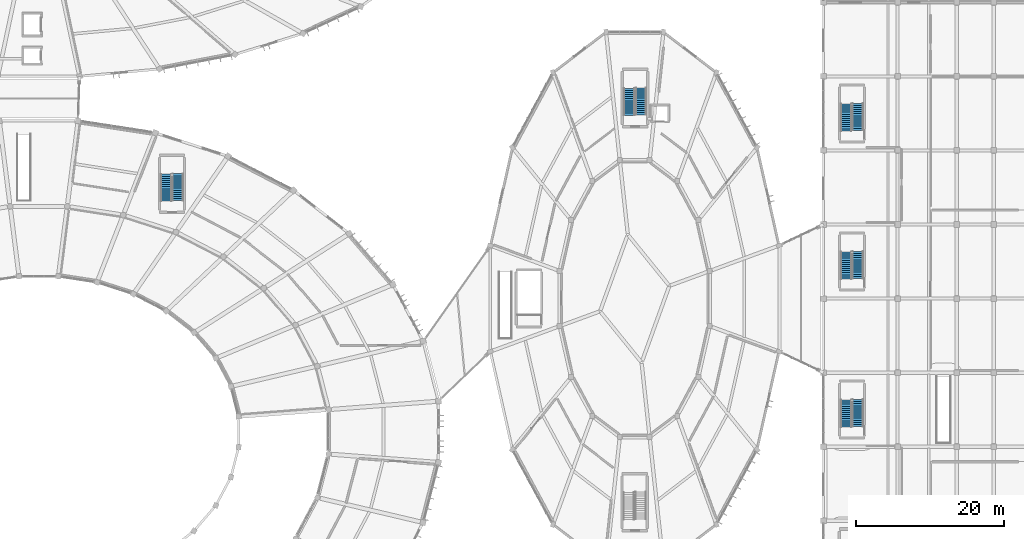
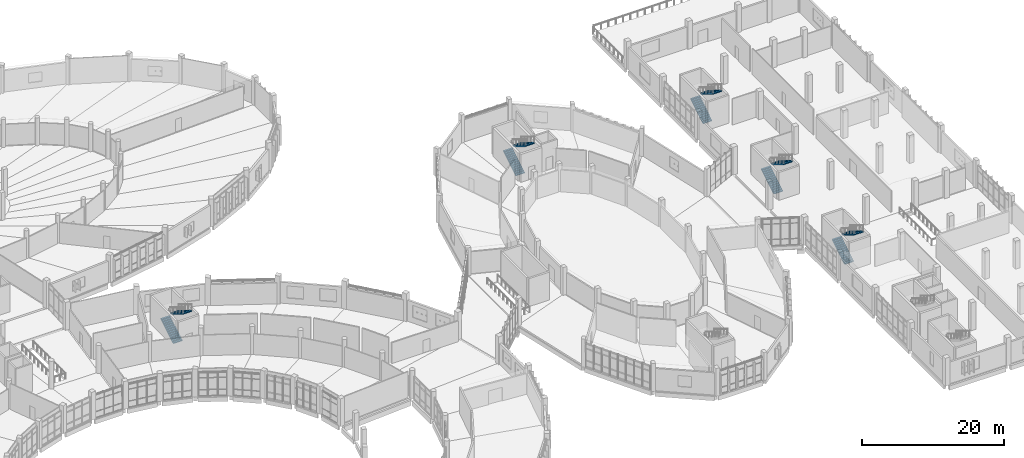
# One storey, part 133 of 179: 10 stair flights, 5 elements without a shape of their own.
"""IFC4 building model written with IfcOpenShell, lengths in metres."""

from ifc_helpers import new_model, si_unit, direction, frame, origin, place, context, subcontext, project, spatial, polyline, outline, extrude, material, layer, layer_set, type_object, element, aggregate, save


model = new_model("IFC4")

# Units and contexts
model_context = context("Model", 3, precision=1e-05, world=origin(), true_north=direction((0.0, 1.0)))
body_context = subcontext(model_context, "Body", "Model", "MODEL_VIEW")
ifc_project = project(units=[si_unit("LENGTHUNIT", "METRE"), si_unit("AREAUNIT", "SQUARE_METRE"), si_unit("VOLUMEUNIT", "CUBIC_METRE"), si_unit("PLANEANGLEUNIT", "RADIAN"), si_unit("MASSUNIT", "GRAM", prefix="KILO")], contexts=[model_context])

# Site, building, storey
site_placement = place(None, origin())
site = spatial("IfcSite", under=ifc_project, at=site_placement, CompositionType="ELEMENT")
building_placement = place(site_placement, origin())
building = spatial("IfcBuilding", under=site, at=building_placement, Name="Corvandel Quay Wholesale Market", CompositionType="ELEMENT")
storey_placement = place(building_placement, frame((0.0, 0.0, 6.0)))
storey = spatial("IfcBuildingStorey", under=building, at=storey_placement, Name="L01", CompositionType="ELEMENT", Elevation=6.0)

# Stair, stair flights
ifc_material = material(Name="Concrete C40/50", Category="concrete")
stair_type = type_object("IfcStairType", Name="Exit Stair Two-Return L01-L02 ST02", PredefinedType="USERDEFINED", material=ifc_material)
stair_1_placement = place(storey_placement, origin())
stair_1 = element("IfcStair", 1, at=stair_1_placement, inside=storey, type_object=stair_type, Name="Exit Stair STR-004", ObjectType="TWO_RETURN_STAIR", PredefinedType="USERDEFINED")
ifc_layer = layer(ifc_material, 0.199951171875)
ifc_layer_set = layer_set([ifc_layer], Name="Concrete C40/50")
stair_flight_type = type_object("IfcStairFlightType", Name="Precast Stair Flight FL02 W1480", PredefinedType="STRAIGHT", material=ifc_layer_set)
stair_flight_1_placement = place(storey_placement, frame((131.199951171875, 73.14990234375, 0.0), z_axis=(0.0, 0.0, 1.0), x_axis=(0.0, 1.0, 0.0)))
stair_flight_1 = element("IfcStairFlight", 2, at=stair_flight_1_placement, type_object=stair_flight_type, Name="Stair Flight STR-004-F1", NumberOfRisers=14, NumberOfTreads=13, PredefinedType="STRAIGHT", RiserHeight=0.171429, TreadLength=0.28, context=body_context, shape_type="SweptSolid", body=[
    extrude(outline(polyline([(0.0, 0.0), (0.0, 0.17138671875), (0.280029296875, 0.17138671875), (0.280029296875, 0.3427734375), (0.56005859375, 0.3427734375), (0.56005859375, 0.514404296875), (0.840087890625, 0.514404296875), (0.840087890625, 0.685791015625), (1.1201171875, 0.685791015625), (1.1201171875, 0.857177734375), (1.39990234375, 0.857177734375), (1.39990234375, 1.028564453125), (1.679931640625, 1.028564453125), (1.679931640625, 1.199951171875), (1.9599609375, 1.199951171875), (1.9599609375, 1.371337890625), (2.239990234375, 1.371337890625), (2.239990234375, 1.54296875), (2.52001953125, 1.54296875), (2.52001953125, 1.71435546875), (2.800048828125, 1.71435546875), (2.800048828125, 1.8857421875), (3.080078125, 1.8857421875), (3.080078125, 2.05712890625), (3.360107421875, 2.05712890625), (3.360107421875, 2.228515625), (3.639892578125, 2.228515625), (3.639892578125, 2.39990234375), (3.639892578125, 2.052734375), (0.287109375, 0.0), (0.0, 0.0)])), frame((0.0, 0.739990234375, 0.0), z_axis=(0.0, -1.0, 0.0), x_axis=(1.0, 0.0, 0.0)), (0.0, 0.0, 1.0), 1.47998046875),
])
stair_flight_2_placement = place(storey_placement, frame((132.800048828125, 76.860107421875, 2.39990234375), z_axis=(0.0, 0.0, 1.0), x_axis=(0.0, -1.0, 0.0)))
stair_flight_2 = element("IfcStairFlight", 3, at=stair_flight_2_placement, type_object=stair_flight_type, Name="Stair Flight STR-004-F2", NumberOfRisers=14, NumberOfTreads=13, PredefinedType="STRAIGHT", RiserHeight=0.171429, TreadLength=0.28, context=body_context, shape_type="SweptSolid", body=[
    extrude(outline(polyline([(0.0, 0.0), (0.0, 0.17138671875), (0.280029296875, 0.17138671875), (0.280029296875, 0.3427734375), (0.56005859375, 0.3427734375), (0.56005859375, 0.514404296875), (0.840087890625, 0.514404296875), (0.840087890625, 0.685791015625), (1.1201171875, 0.685791015625), (1.1201171875, 0.857177734375), (1.39990234375, 0.857177734375), (1.39990234375, 1.028564453125), (1.679931640625, 1.028564453125), (1.679931640625, 1.199951171875), (1.9599609375, 1.199951171875), (1.9599609375, 1.371337890625), (2.239990234375, 1.371337890625), (2.239990234375, 1.54296875), (2.52001953125, 1.54296875), (2.52001953125, 1.71435546875), (2.800048828125, 1.71435546875), (2.800048828125, 1.8857421875), (3.080078125, 1.8857421875), (3.080078125, 2.05712890625), (3.360107421875, 2.05712890625), (3.360107421875, 2.228515625), (3.639892578125, 2.228515625), (3.639892578125, 2.39990234375), (3.639892578125, 2.052734375), (0.287109375, 0.0), (0.0, 0.0)])), frame((0.0, 0.739990234375, 0.0), z_axis=(0.0, -1.0, 0.0), x_axis=(1.0, 0.0, 0.0)), (0.0, 0.0, 1.0), 1.47998046875),
])
aggregate(stair_1, [stair_flight_1, stair_flight_2])

stair_2_placement = place(storey_placement, origin())
stair_2 = element("IfcStair", 4, at=stair_2_placement, inside=storey, type_object=stair_type, Name="Exit Stair STR-014", ObjectType="TWO_RETURN_STAIR", PredefinedType="USERDEFINED")
stair_flight_3_placement = place(storey_placement, frame((193.75, 84.75, 0.0), z_axis=(0.0, 0.0, 1.0), x_axis=(0.0, 1.0, 0.0)))
stair_flight_3 = element("IfcStairFlight", 5, at=stair_flight_3_placement, type_object=stair_flight_type, Name="Stair Flight STR-014-F1", NumberOfRisers=14, NumberOfTreads=13, PredefinedType="STRAIGHT", RiserHeight=0.171429, TreadLength=0.28, context=body_context, shape_type="SweptSolid", body=[
    extrude(outline(polyline([(0.0, 0.0), (0.0, 0.17138671875), (0.280029296875, 0.17138671875), (0.280029296875, 0.3427734375), (0.56005859375, 0.3427734375), (0.56005859375, 0.514404296875), (0.840087890625, 0.514404296875), (0.840087890625, 0.685791015625), (1.1201171875, 0.685791015625), (1.1201171875, 0.857177734375), (1.39990234375, 0.857177734375), (1.39990234375, 1.028564453125), (1.679931640625, 1.028564453125), (1.679931640625, 1.199951171875), (1.9599609375, 1.199951171875), (1.9599609375, 1.371337890625), (2.239990234375, 1.371337890625), (2.239990234375, 1.54296875), (2.52001953125, 1.54296875), (2.52001953125, 1.71435546875), (2.800048828125, 1.71435546875), (2.800048828125, 1.8857421875), (3.080078125, 1.8857421875), (3.080078125, 2.05712890625), (3.360107421875, 2.05712890625), (3.360107421875, 2.228515625), (3.639892578125, 2.228515625), (3.639892578125, 2.39990234375), (3.639892578125, 2.052734375), (0.287109375, 0.0), (0.0, 0.0)])), frame((0.0, 0.739990234375, 0.0), z_axis=(0.0, -1.0, 0.0), x_axis=(1.0, 0.0, 0.0)), (0.0, 0.0, 1.0), 1.47998046875),
])
stair_flight_4_placement = place(storey_placement, frame((195.35009765625, 88.4599609375, 2.39990234375), z_axis=(0.0, 0.0, 1.0), x_axis=(0.0, -1.0, 0.0)))
stair_flight_4 = element("IfcStairFlight", 6, at=stair_flight_4_placement, type_object=stair_flight_type, Name="Stair Flight STR-014-F2", NumberOfRisers=14, NumberOfTreads=13, PredefinedType="STRAIGHT", RiserHeight=0.171429, TreadLength=0.28, context=body_context, shape_type="SweptSolid", body=[
    extrude(outline(polyline([(0.0, 0.0), (0.0, 0.17138671875), (0.280029296875, 0.17138671875), (0.280029296875, 0.3427734375), (0.56005859375, 0.3427734375), (0.56005859375, 0.514404296875), (0.840087890625, 0.514404296875), (0.840087890625, 0.685791015625), (1.1201171875, 0.685791015625), (1.1201171875, 0.857177734375), (1.39990234375, 0.857177734375), (1.39990234375, 1.028564453125), (1.679931640625, 1.028564453125), (1.679931640625, 1.199951171875), (1.9599609375, 1.199951171875), (1.9599609375, 1.371337890625), (2.239990234375, 1.371337890625), (2.239990234375, 1.54296875), (2.52001953125, 1.54296875), (2.52001953125, 1.71435546875), (2.800048828125, 1.71435546875), (2.800048828125, 1.8857421875), (3.080078125, 1.8857421875), (3.080078125, 2.05712890625), (3.360107421875, 2.05712890625), (3.360107421875, 2.228515625), (3.639892578125, 2.228515625), (3.639892578125, 2.39990234375), (3.639892578125, 2.052734375), (0.287109375, 0.0), (0.0, 0.0)])), frame((0.0, 0.739990234375, 0.0), z_axis=(0.0, -1.0, 0.0), x_axis=(1.0, 0.0, 0.0)), (0.0, 0.0, 1.0), 1.47998046875),
])
aggregate(stair_2, [stair_flight_3, stair_flight_4])

stair_3_placement = place(storey_placement, origin())
stair_3 = element("IfcStair", 7, at=stair_3_placement, inside=storey, type_object=stair_type, Name="Exit Stair STR-030", ObjectType="TWO_RETURN_STAIR", PredefinedType="USERDEFINED")
stair_flight_5_placement = place(storey_placement, frame((223.050048828125, 42.64990234375, 0.0), z_axis=(0.0, 0.0, 1.0), x_axis=(0.0, 1.0, 0.0)))
stair_flight_5 = element("IfcStairFlight", 8, at=stair_flight_5_placement, type_object=stair_flight_type, Name="Stair Flight STR-030-F1", NumberOfRisers=14, NumberOfTreads=13, PredefinedType="STRAIGHT", RiserHeight=0.171429, TreadLength=0.28, context=body_context, shape_type="SweptSolid", body=[
    extrude(outline(polyline([(0.0, 0.0), (0.0, 0.17138671875), (0.280029296875, 0.17138671875), (0.280029296875, 0.3427734375), (0.56005859375, 0.3427734375), (0.56005859375, 0.514404296875), (0.840087890625, 0.514404296875), (0.840087890625, 0.685791015625), (1.1201171875, 0.685791015625), (1.1201171875, 0.857177734375), (1.39990234375, 0.857177734375), (1.39990234375, 1.028564453125), (1.679931640625, 1.028564453125), (1.679931640625, 1.199951171875), (1.9599609375, 1.199951171875), (1.9599609375, 1.371337890625), (2.239990234375, 1.371337890625), (2.239990234375, 1.54296875), (2.52001953125, 1.54296875), (2.52001953125, 1.71435546875), (2.800048828125, 1.71435546875), (2.800048828125, 1.8857421875), (3.080078125, 1.8857421875), (3.080078125, 2.05712890625), (3.360107421875, 2.05712890625), (3.360107421875, 2.228515625), (3.639892578125, 2.228515625), (3.639892578125, 2.39990234375), (3.639892578125, 2.052734375), (0.287109375, 0.0), (0.0, 0.0)])), frame((0.0, 0.739990234375, 0.0), z_axis=(0.0, -1.0, 0.0), x_axis=(1.0, 0.0, 0.0)), (0.0, 0.0, 1.0), 1.47998046875),
])
stair_flight_6_placement = place(storey_placement, frame((224.64990234375, 46.360107421875, 2.39990234375), z_axis=(0.0, 0.0, 1.0), x_axis=(0.0, -1.0, 0.0)))
stair_flight_6 = element("IfcStairFlight", 9, at=stair_flight_6_placement, type_object=stair_flight_type, Name="Stair Flight STR-030-F2", NumberOfRisers=14, NumberOfTreads=13, PredefinedType="STRAIGHT", RiserHeight=0.171429, TreadLength=0.28, context=body_context, shape_type="SweptSolid", body=[
    extrude(outline(polyline([(0.0, 0.0), (0.0, 0.17138671875), (0.280029296875, 0.17138671875), (0.280029296875, 0.3427734375), (0.56005859375, 0.3427734375), (0.56005859375, 0.514404296875), (0.840087890625, 0.514404296875), (0.840087890625, 0.685791015625), (1.1201171875, 0.685791015625), (1.1201171875, 0.857177734375), (1.39990234375, 0.857177734375), (1.39990234375, 1.028564453125), (1.679931640625, 1.028564453125), (1.679931640625, 1.199951171875), (1.9599609375, 1.199951171875), (1.9599609375, 1.371337890625), (2.239990234375, 1.371337890625), (2.239990234375, 1.54296875), (2.52001953125, 1.54296875), (2.52001953125, 1.71435546875), (2.800048828125, 1.71435546875), (2.800048828125, 1.8857421875), (3.080078125, 1.8857421875), (3.080078125, 2.05712890625), (3.360107421875, 2.05712890625), (3.360107421875, 2.228515625), (3.639892578125, 2.228515625), (3.639892578125, 2.39990234375), (3.639892578125, 2.052734375), (0.287109375, 0.0), (0.0, 0.0)])), frame((0.0, 0.739990234375, 0.0), z_axis=(0.0, -1.0, 0.0), x_axis=(1.0, 0.0, 0.0)), (0.0, 0.0, 1.0), 1.47998046875),
])
aggregate(stair_3, [stair_flight_5, stair_flight_6])

stair_4_placement = place(storey_placement, origin())
stair_4 = element("IfcStair", 10, at=stair_4_placement, inside=storey, type_object=stair_type, Name="Exit Stair STR-033", ObjectType="TWO_RETURN_STAIR", PredefinedType="USERDEFINED")
stair_flight_7_placement = place(storey_placement, frame((223.050048828125, 62.64990234375, 0.0), z_axis=(0.0, 0.0, 1.0), x_axis=(0.0, 1.0, 0.0)))
stair_flight_7 = element("IfcStairFlight", 11, at=stair_flight_7_placement, type_object=stair_flight_type, Name="Stair Flight STR-033-F1", NumberOfRisers=14, NumberOfTreads=13, PredefinedType="STRAIGHT", RiserHeight=0.171429, TreadLength=0.28, context=body_context, shape_type="SweptSolid", body=[
    extrude(outline(polyline([(0.0, 0.0), (0.0, 0.17138671875), (0.280029296875, 0.17138671875), (0.280029296875, 0.3427734375), (0.56005859375, 0.3427734375), (0.56005859375, 0.514404296875), (0.840087890625, 0.514404296875), (0.840087890625, 0.685791015625), (1.1201171875, 0.685791015625), (1.1201171875, 0.857177734375), (1.39990234375, 0.857177734375), (1.39990234375, 1.028564453125), (1.679931640625, 1.028564453125), (1.679931640625, 1.199951171875), (1.9599609375, 1.199951171875), (1.9599609375, 1.371337890625), (2.239990234375, 1.371337890625), (2.239990234375, 1.54296875), (2.52001953125, 1.54296875), (2.52001953125, 1.71435546875), (2.800048828125, 1.71435546875), (2.800048828125, 1.8857421875), (3.080078125, 1.8857421875), (3.080078125, 2.05712890625), (3.360107421875, 2.05712890625), (3.360107421875, 2.228515625), (3.639892578125, 2.228515625), (3.639892578125, 2.39990234375), (3.639892578125, 2.052734375), (0.287109375, 0.0), (0.0, 0.0)])), frame((0.0, 0.739990234375, 0.0), z_axis=(0.0, -1.0, 0.0), x_axis=(1.0, 0.0, 0.0)), (0.0, 0.0, 1.0), 1.47998046875),
])
stair_flight_8_placement = place(storey_placement, frame((224.64990234375, 66.360107421875, 2.39990234375), z_axis=(0.0, 0.0, 1.0), x_axis=(0.0, -1.0, 0.0)))
stair_flight_8 = element("IfcStairFlight", 12, at=stair_flight_8_placement, type_object=stair_flight_type, Name="Stair Flight STR-033-F2", NumberOfRisers=14, NumberOfTreads=13, PredefinedType="STRAIGHT", RiserHeight=0.171429, TreadLength=0.28, context=body_context, shape_type="SweptSolid", body=[
    extrude(outline(polyline([(0.0, 0.0), (0.0, 0.17138671875), (0.280029296875, 0.17138671875), (0.280029296875, 0.3427734375), (0.56005859375, 0.3427734375), (0.56005859375, 0.514404296875), (0.840087890625, 0.514404296875), (0.840087890625, 0.685791015625), (1.1201171875, 0.685791015625), (1.1201171875, 0.857177734375), (1.39990234375, 0.857177734375), (1.39990234375, 1.028564453125), (1.679931640625, 1.028564453125), (1.679931640625, 1.199951171875), (1.9599609375, 1.199951171875), (1.9599609375, 1.371337890625), (2.239990234375, 1.371337890625), (2.239990234375, 1.54296875), (2.52001953125, 1.54296875), (2.52001953125, 1.71435546875), (2.800048828125, 1.71435546875), (2.800048828125, 1.8857421875), (3.080078125, 1.8857421875), (3.080078125, 2.05712890625), (3.360107421875, 2.05712890625), (3.360107421875, 2.228515625), (3.639892578125, 2.228515625), (3.639892578125, 2.39990234375), (3.639892578125, 2.052734375), (0.287109375, 0.0), (0.0, 0.0)])), frame((0.0, 0.739990234375, 0.0), z_axis=(0.0, -1.0, 0.0), x_axis=(1.0, 0.0, 0.0)), (0.0, 0.0, 1.0), 1.47998046875),
])
aggregate(stair_4, [stair_flight_7, stair_flight_8])

stair_5_placement = place(storey_placement, origin())
stair_5 = element("IfcStair", 13, at=stair_5_placement, inside=storey, type_object=stair_type, Name="Exit Stair STR-039", ObjectType="TWO_RETURN_STAIR", PredefinedType="USERDEFINED")
stair_flight_9_placement = place(storey_placement, frame((223.050048828125, 82.64990234375, 0.0), z_axis=(0.0, 0.0, 1.0), x_axis=(0.0, 1.0, 0.0)))
stair_flight_9 = element("IfcStairFlight", 14, at=stair_flight_9_placement, type_object=stair_flight_type, Name="Stair Flight STR-039-F1", NumberOfRisers=14, NumberOfTreads=13, PredefinedType="STRAIGHT", RiserHeight=0.171429, TreadLength=0.28, context=body_context, shape_type="SweptSolid", body=[
    extrude(outline(polyline([(0.0, 0.0), (0.0, 0.17138671875), (0.280029296875, 0.17138671875), (0.280029296875, 0.3427734375), (0.56005859375, 0.3427734375), (0.56005859375, 0.514404296875), (0.840087890625, 0.514404296875), (0.840087890625, 0.685791015625), (1.1201171875, 0.685791015625), (1.1201171875, 0.857177734375), (1.39990234375, 0.857177734375), (1.39990234375, 1.028564453125), (1.679931640625, 1.028564453125), (1.679931640625, 1.199951171875), (1.9599609375, 1.199951171875), (1.9599609375, 1.371337890625), (2.239990234375, 1.371337890625), (2.239990234375, 1.54296875), (2.52001953125, 1.54296875), (2.52001953125, 1.71435546875), (2.800048828125, 1.71435546875), (2.800048828125, 1.8857421875), (3.080078125, 1.8857421875), (3.080078125, 2.05712890625), (3.360107421875, 2.05712890625), (3.360107421875, 2.228515625), (3.639892578125, 2.228515625), (3.639892578125, 2.39990234375), (3.639892578125, 2.052734375), (0.287109375, 0.0), (0.0, 0.0)])), frame((0.0, 0.739990234375, 0.0), z_axis=(0.0, -1.0, 0.0), x_axis=(1.0, 0.0, 0.0)), (0.0, 0.0, 1.0), 1.47998046875),
])
stair_flight_10_placement = place(storey_placement, frame((224.64990234375, 86.360107421875, 2.39990234375), z_axis=(0.0, 0.0, 1.0), x_axis=(0.0, -1.0, 0.0)))
stair_flight_10 = element("IfcStairFlight", 15, at=stair_flight_10_placement, type_object=stair_flight_type, Name="Stair Flight STR-039-F2", NumberOfRisers=14, NumberOfTreads=13, PredefinedType="STRAIGHT", RiserHeight=0.171429, TreadLength=0.28, context=body_context, shape_type="SweptSolid", body=[
    extrude(outline(polyline([(0.0, 0.0), (0.0, 0.17138671875), (0.280029296875, 0.17138671875), (0.280029296875, 0.3427734375), (0.56005859375, 0.3427734375), (0.56005859375, 0.514404296875), (0.840087890625, 0.514404296875), (0.840087890625, 0.685791015625), (1.1201171875, 0.685791015625), (1.1201171875, 0.857177734375), (1.39990234375, 0.857177734375), (1.39990234375, 1.028564453125), (1.679931640625, 1.028564453125), (1.679931640625, 1.199951171875), (1.9599609375, 1.199951171875), (1.9599609375, 1.371337890625), (2.239990234375, 1.371337890625), (2.239990234375, 1.54296875), (2.52001953125, 1.54296875), (2.52001953125, 1.71435546875), (2.800048828125, 1.71435546875), (2.800048828125, 1.8857421875), (3.080078125, 1.8857421875), (3.080078125, 2.05712890625), (3.360107421875, 2.05712890625), (3.360107421875, 2.228515625), (3.639892578125, 2.228515625), (3.639892578125, 2.39990234375), (3.639892578125, 2.052734375), (0.287109375, 0.0), (0.0, 0.0)])), frame((0.0, 0.739990234375, 0.0), z_axis=(0.0, -1.0, 0.0), x_axis=(1.0, 0.0, 0.0)), (0.0, 0.0, 1.0), 1.47998046875),
])
aggregate(stair_5, [stair_flight_9, stair_flight_10])

save(model, "model.ifc")
